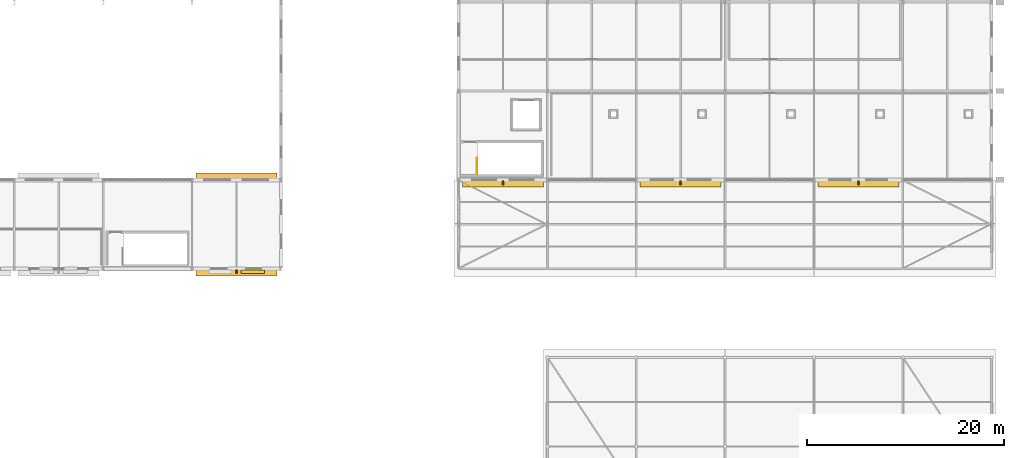
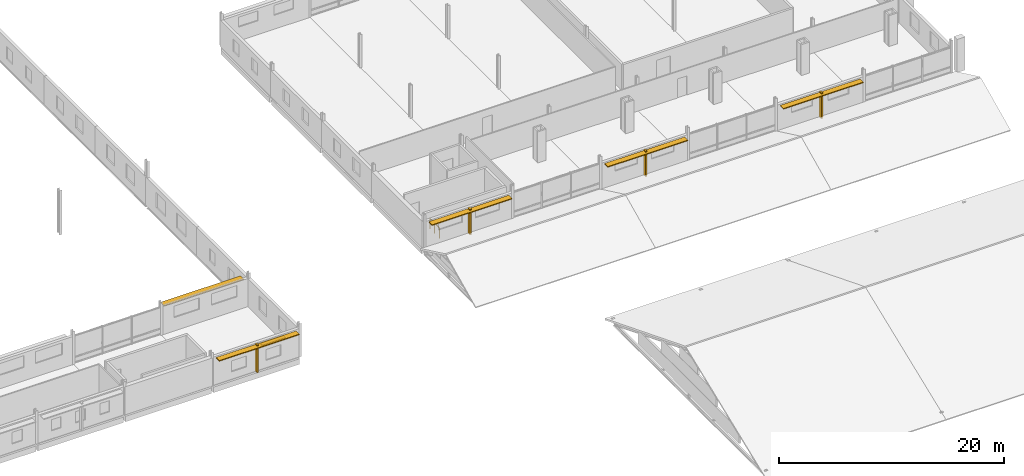
# One storey, part 130 of 132: 10 shading devices, 1 railing.
"""IFC4 building model written with IfcOpenShell, lengths in metres."""

from ifc_helpers import new_model, si_unit, direction, frame, origin, origin_2d, place, context, subcontext, project, spatial, rectangle, circle, extrude, material, layer, layer_set, type_object, element, save


model = new_model("IFC4")

# Units and contexts
model_context = context("Model", 3, precision=1e-05, world=origin(), true_north=direction((0.0, 1.0)))
body_context = subcontext(model_context, "Body", "Model", "MODEL_VIEW")
ifc_project = project(units=[si_unit("LENGTHUNIT", "METRE"), si_unit("AREAUNIT", "SQUARE_METRE"), si_unit("VOLUMEUNIT", "CUBIC_METRE"), si_unit("PLANEANGLEUNIT", "RADIAN"), si_unit("MASSUNIT", "GRAM", prefix="KILO")], contexts=[model_context])

# Site, building, storey
site_placement = place(None, origin())
site = spatial("IfcSite", under=ifc_project, at=site_placement, CompositionType="ELEMENT")
building_placement = place(site_placement, origin())
building = spatial("IfcBuilding", under=site, at=building_placement, Name="Tharagai Park Tramway Depot", CompositionType="ELEMENT")
storey_placement = place(building_placement, frame((0.0, 0.0, 4.800048828125)))
storey = spatial("IfcBuildingStorey", under=building, at=storey_placement, Name="L01", CompositionType="ELEMENT", Elevation=4.800048828125)

# Railing
ifc_material_1 = material(Name="Galvanised steel", Category="steel")
railing_type = type_object("IfcRailingType", Name="HR-02", PredefinedType="GUARDRAIL", material=ifc_material_1)
railing_placement = place(storey_placement, frame((163.8701171875, 99.550048828125, 0.0)))
element("IfcRailing", 1, at=railing_placement, inside=storey, type_object=railing_type, Name="L01 ST-12 top well guard 1", PredefinedType="GUARDRAIL", context=body_context, shape_type="SweptSolid", body=[
    extrude(circle(Radius=0.02392578125, at=origin_2d()), frame((0.0, 0.0, 1.076171875), z_axis=(0.0, 1.0, 0.0), x_axis=(-1.0, 0.0, 0.0)), (0.0, 0.0, 1.0), 1.669921875),
    extrude(circle(Radius=0.02099609375, at=origin_2d()), origin(), (0.0, 0.0, 1.0), 1.052001953125),
    extrude(circle(Radius=0.02099609375, at=origin_2d()), frame((0.0, 0.8349609375, 0.0)), (0.0, 0.0, 1.0), 1.052001953125),
    extrude(circle(Radius=0.02099609375, at=origin_2d()), frame((0.0, 1.669921875, 0.0)), (0.0, 0.0, 1.0), 1.052001953125),
])

# Shading devices
ifc_material_2 = material(Name="Anodised aluminium", Category="aluminium")
ifc_layer_1 = layer(ifc_material_2, 0.090087890625)
ifc_layer_set_1 = layer_set([ifc_layer_1], Name="Anodised aluminium")
shading_device_type_1 = type_object("IfcShadingDeviceType", Name="SD-01", PredefinedType="SHUTTER", material=ifc_layer_set_1)
for number, where, z_axis, x_axis, name in (
    (2, (139.5, 89.570068359375, 2.81689453125), (0.0, 0.0, 1.0), (1.0, 0.0, 0.0), "Monsoon Storm Louvre Hood SD-01 #20"),
    (3, (139.5, 99.429931640625, 2.81689453125), (0.0, 0.0, 1.0), (1.0, 0.0, 0.0), "Monsoon Storm Louvre Hood SD-01 #28"),
    (4, (166.5, 98.570068359375, 2.61669921875), (0.0, 0.0, 1.0), (1.0, 0.0, 0.0), "Monsoon Storm Louvre Hood SD-01 #29"),
    (5, (184.5, 98.570068359375, 2.61669921875), (0.0, 0.0, 1.0), (1.0, 0.0, 0.0), "Monsoon Storm Louvre Hood SD-01 #30"),
    (6, (202.5, 98.570068359375, 2.61669921875), (0.0, 0.0, 1.0), (1.0, 0.0, 0.0), "Monsoon Storm Louvre Hood SD-01 #31"),
):
    element("IfcShadingDevice", number, at=place(storey_placement, frame(where, z_axis=z_axis, x_axis=x_axis)), inside=storey, type_object=shading_device_type_1, Name=name, PredefinedType="SHUTTER", context=body_context, shape_type="SweptSolid", body=[
        extrude(rectangle(XDim=8.19189453125, YDim=0.580078125, at=origin_2d()), origin(), (0.0, 0.0, 1.0), 0.090087890625),
    ])
ifc_material_3 = material(Name="Charnockite stone", Category="masonry")
ifc_layer_2 = layer(ifc_material_3, 0.159912109375)
ifc_layer_set_2 = layer_set([ifc_layer_2], Name="Charnockite stone")
shading_device_type_2 = type_object("IfcShadingDeviceType", Name="SD-02", PredefinedType="JALOUSIE", material=ifc_layer_set_2)
shading_device_1_placement = place(storey_placement, frame((139.5, 89.7099609375, 0.030029296875), z_axis=(0.0, 0.0, 1.0), x_axis=(1.0, 0.0, 0.0)))
element("IfcShadingDevice", 7, at=shading_device_1_placement, inside=storey, type_object=shading_device_type_2, Name="Charnockite Gothic Lancet Mullion Fin SD-02 #15", PredefinedType="JALOUSIE", context=body_context, shape_type="SweptSolid", body=[
    extrude(rectangle(XDim=0.159912109375, YDim=0.360107421875, at=origin_2d()), origin(), (0.0, 0.0, 1.0), 2.98193359375),
])
for number, where, z_axis, x_axis, name in (
    (8, (166.5, 98.7099609375, 0.02978515625), (0.0, 0.0, 1.0), (1.0, 0.0, 0.0), "Charnockite Gothic Lancet Mullion Fin SD-02 #16"),
    (9, (184.5, 98.7099609375, 0.02978515625), (0.0, 0.0, 1.0), (1.0, 0.0, 0.0), "Charnockite Gothic Lancet Mullion Fin SD-02 #17"),
    (10, (202.5, 98.7099609375, 0.02978515625), (0.0, 0.0, 1.0), (1.0, 0.0, 0.0), "Charnockite Gothic Lancet Mullion Fin SD-02 #18"),
):
    element("IfcShadingDevice", number, at=place(storey_placement, frame(where, z_axis=z_axis, x_axis=x_axis)), inside=storey, type_object=shading_device_type_2, Name=name, PredefinedType="JALOUSIE", context=body_context, shape_type="SweptSolid", body=[
        extrude(rectangle(XDim=0.159912109375, YDim=0.360107421875, at=origin_2d()), origin(), (0.0, 0.0, 1.0), 2.781982421875),
    ])
ifc_layer_3 = layer(ifc_material_3, 0.139892578125)
ifc_layer_set_3 = layer_set([ifc_layer_3], Name="Charnockite stone")
shading_device_type_3 = type_object("IfcShadingDeviceType", Name="SD-03", PredefinedType="AWNING", material=ifc_layer_set_3)
shading_device_2_placement = place(storey_placement, frame((141.14990234375, 89.7099609375, 2.69189453125), z_axis=(0.0, 0.0, 1.0), x_axis=(1.0, 0.0, 0.0)))
element("IfcShadingDevice", 11, at=shading_device_2_placement, inside=storey, type_object=shading_device_type_3, Name="Charnockite Gothic Window Hood Drip Moulding SD-03 #4-2", PredefinedType="AWNING", context=body_context, shape_type="SweptSolid", body=[
    extrude(rectangle(XDim=2.39990234375, YDim=0.360107421875, at=origin_2d()), origin(), (0.0, 0.0, 1.0), 0.139892578125),
])

save(model, "model.ifc")
